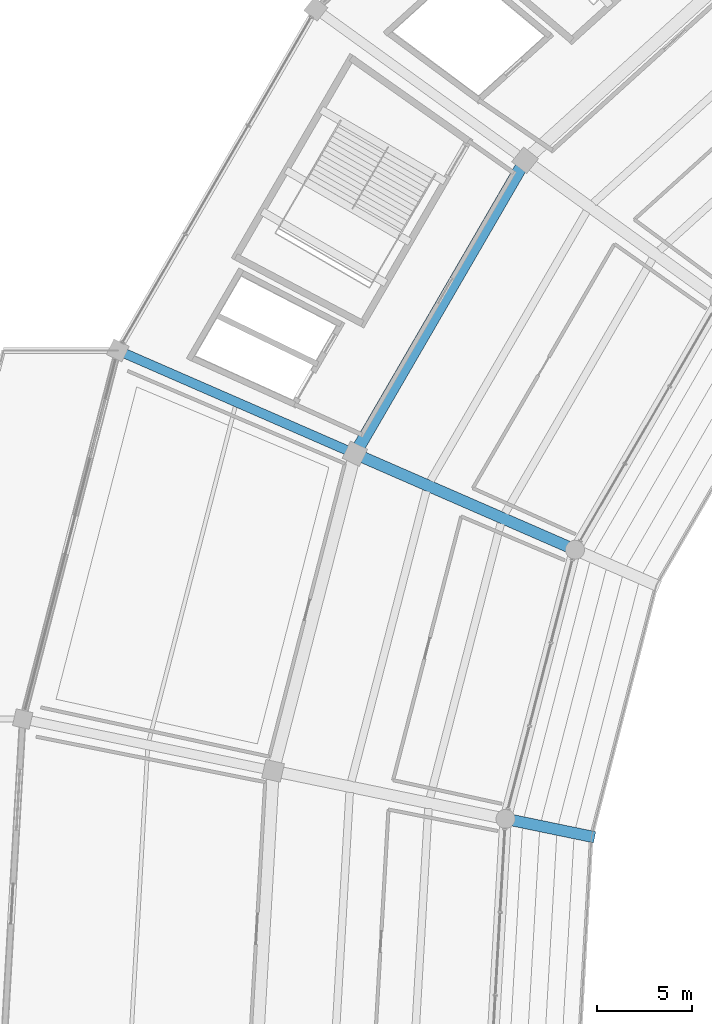
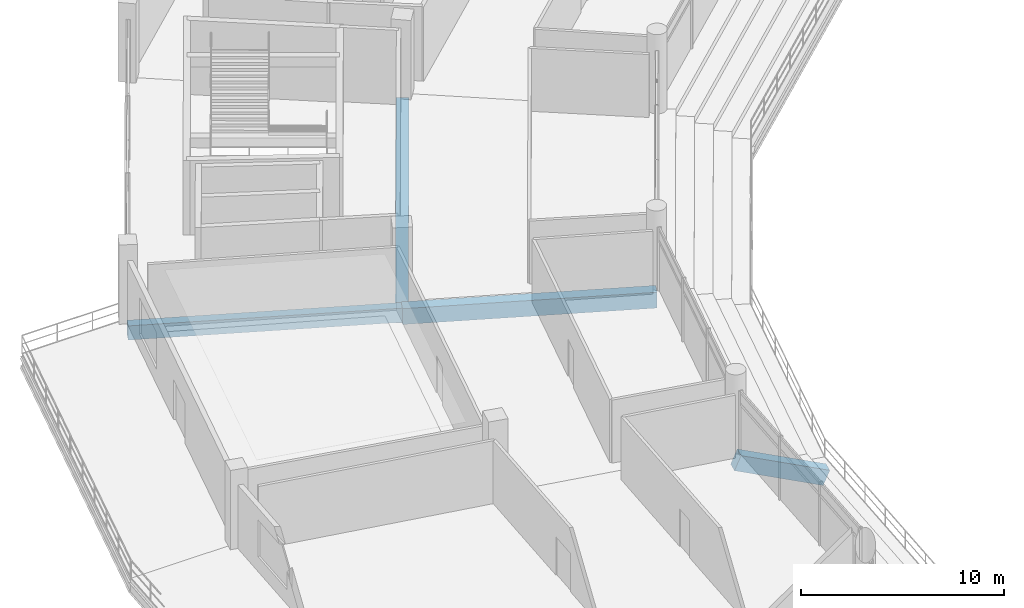
# One storey, part 44 of 171: 4 beams.
"""IFC4 building model written with IfcOpenShell, lengths in metres."""

from ifc_helpers import new_model, si_unit, direction, frame, origin, origin_2d, place, context, subcontext, project, spatial, rectangle, extrude, material, material_profile, profile_set, type_object, element, save


model = new_model("IFC4")

# Units and contexts
model_context = context("Model", 3, precision=1e-05, world=origin(), true_north=direction((0.0, 1.0)))
body_context = subcontext(model_context, "Body", "Model", "MODEL_VIEW")
ifc_project = project(units=[si_unit("LENGTHUNIT", "METRE"), si_unit("AREAUNIT", "SQUARE_METRE"), si_unit("VOLUMEUNIT", "CUBIC_METRE"), si_unit("PLANEANGLEUNIT", "RADIAN"), si_unit("MASSUNIT", "GRAM", prefix="KILO")], contexts=[model_context])

# Site, building, storey
site_placement = place(None, origin())
site = spatial("IfcSite", under=ifc_project, at=site_placement, CompositionType="ELEMENT")
building_placement = place(site_placement, origin())
building = spatial("IfcBuilding", under=site, at=building_placement, Name="Kazemori Nagisa Stadium", CompositionType="ELEMENT")
storey_placement = place(building_placement, frame((0.0, 0.0, 15.639892578125)))
storey = spatial("IfcBuildingStorey", under=building, at=storey_placement, Name="L03", CompositionType="ELEMENT", Elevation=15.639892578125)

# Beams
ifc_material = material(Name="Concrete C40/50 (Fc42)", Category="concrete")
ifc_material_profile_1 = material_profile(ifc_material, rectangle(XDim=0.5, YDim=0.85009765625, at=origin_2d()), Name="RC-BM-500x850")
ifc_profile_set_1 = profile_set([ifc_material_profile_1], Name="Concrete C40/50 (Fc42)")
beam_type_1 = type_object("IfcBeamType", Name="Beam_BG-RC500X850", PredefinedType="BEAM", material=ifc_profile_set_1)
beam_1_placement = place(storey_placement, frame((46.55908203125, 135.32470703125, -0.684814453125), z_axis=(-0.916683633521, 0.399613708517, 0.0), x_axis=(-0.399613708517, -0.916683633521, 0.0)))
element("IfcBeam", 1, at=beam_1_placement, inside=storey, type_object=beam_type_1, Name="Radial girder BG-RC500X850 L03 R2-R3-13", PredefinedType="BEAM", context=body_context, shape_type="SweptSolid", body=[
    extrude(rectangle(XDim=0.5, YDim=0.85009765625, at=origin_2d()), origin(), (0.0, 0.0, 1.0), 13.5751953125),
])
ifc_material_profile_2 = material_profile(ifc_material, rectangle(XDim=0.60009765625, YDim=0.949951171875, at=origin_2d()), Name="RC-BM-600x950")
ifc_profile_set_2 = profile_set([ifc_material_profile_2], Name="Concrete C40/50 (Fc42)")
beam_type_2 = type_object("IfcBeamType", Name="Beam_BG-RC600X950", PredefinedType="BEAM", material=ifc_profile_set_2)
beam_2_placement = place(storey_placement, frame((58.114013671875, 130.287109375, -0.73486328125), z_axis=(-0.916671768981, 0.399640923771, 0.0), x_axis=(-0.399640923771, -0.916671768981, 0.0)))
element("IfcBeam", 2, at=beam_2_placement, inside=storey, type_object=beam_type_2, Name="Radial girder BG-RC600X950 L03 R1-R2-13", PredefinedType="BEAM", context=body_context, shape_type="SweptSolid", body=[
    extrude(rectangle(XDim=0.60009765625, YDim=0.949951171875, at=origin_2d()), origin(), (0.0, 0.0, 1.0), 12.605224609375),
])
ifc_material_profile_3 = material_profile(ifc_material, rectangle(XDim=0.64990234375, YDim=1.050048828125, at=origin_2d()), Name="RC-BM-650x1050")
ifc_profile_set_3 = profile_set([ifc_material_profile_3], Name="Concrete C40/50 (Fc42)")
beam_type_3 = type_object("IfcBeamType", Name="Beam_BG-RC650X1050", PredefinedType="BEAM", material=ifc_profile_set_3)
beam_3_placement = place(storey_placement, frame((55.493896484375, 150.734130859375, -0.784912109375), z_axis=(-0.501606704589, -0.865095783085, 0.0), x_axis=(0.865095783085, -0.501606704589, 0.0)))
element("IfcBeam", 3, at=beam_3_placement, inside=storey, type_object=beam_type_3, Name="Ring girder BG-RC650X1050 L03 R2-12", PredefinedType="BEAM", context=body_context, shape_type="SweptSolid", body=[
    extrude(rectangle(XDim=0.64990234375, YDim=1.050048828125, at=origin_2d()), origin(), (0.0, 0.0, 1.0), 17.8125),
])
ifc_material_profile_4 = material_profile(ifc_material, rectangle(XDim=0.60009765625, YDim=0.89990234375, at=origin_2d()), Name="RC-RK-600x900")
ifc_profile_set_4 = profile_set([ifc_material_profile_4], Name="Concrete C40/50 (Fc42)")
beam_type_4 = type_object("IfcBeamType", Name="Beam_RK-RC600X900", PredefinedType="USERDEFINED", material=ifc_profile_set_4)
beam_4_placement = place(storey_placement, frame((58.973388671875, 115.229248046875, -2.58984375), z_axis=(-0.905191299134, 0.187040828632, 0.381633908867), x_axis=(-0.202356469129, -0.979311931614, 0.0)))
element("IfcBeam", 4, at=beam_4_placement, inside=storey, type_object=beam_type_4, Name="Raker beam club RK2-14", ObjectType="RAKER BEAM", PredefinedType="USERDEFINED", context=body_context, shape_type="SweptSolid", body=[
    extrude(rectangle(XDim=0.60009765625, YDim=0.89990234375, at=origin_2d()), origin(), (0.0, 0.0, 1.0), 4.978271484375),
])

save(model, "model.ifc")
